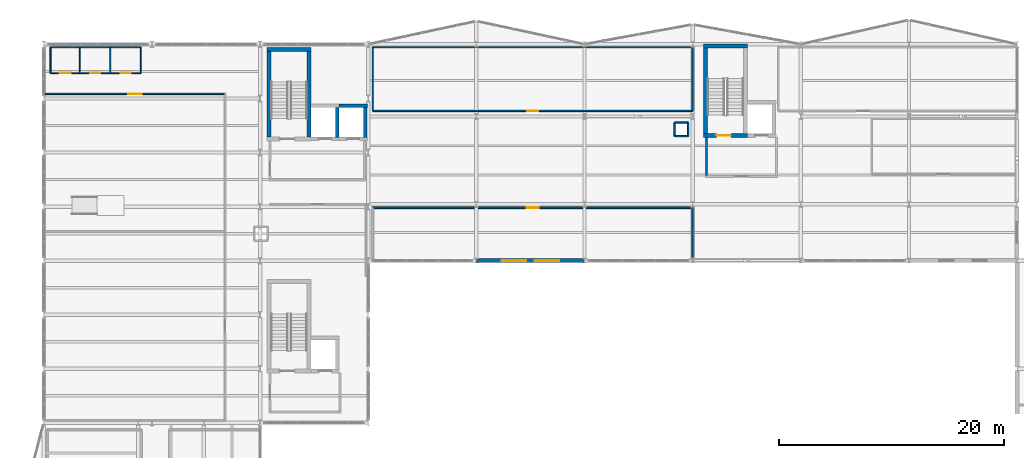
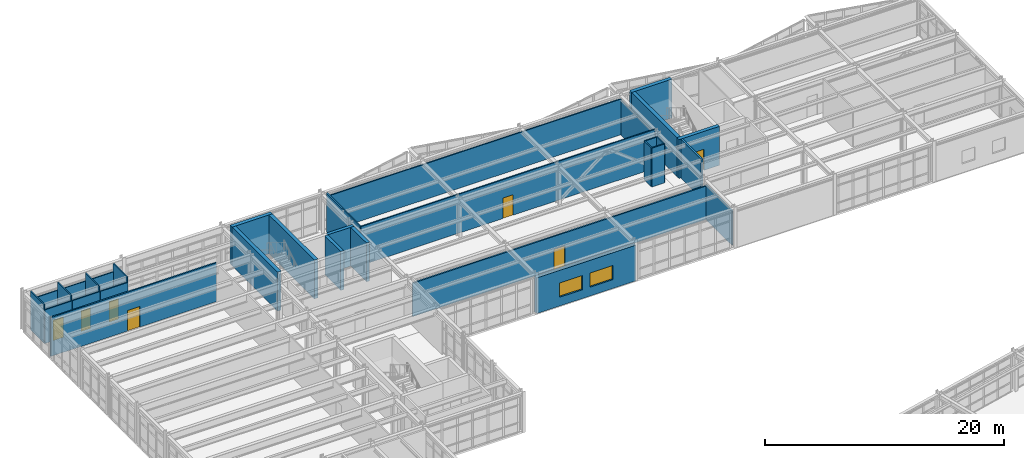
# One storey, part 74 of 88: 32 walls, 7 doors, 2 windows, 9 openings.
"""IFC4 building model written with IfcOpenShell, lengths in metres."""

from ifc_helpers import new_model, si_unit, direction, frame, frame_2d, origin, place, context, subcontext, project, spatial, rectangle, extrude, material, layer, layer_set, type_object, element, fill, save


model = new_model("IFC4")

# Units and contexts
model_context = context("Model", 3, precision=1e-05, world=origin(), true_north=direction((0.0, 1.0)))
body_context = subcontext(model_context, "Body", "Model", "MODEL_VIEW")
ifc_project = project(units=[si_unit("LENGTHUNIT", "METRE"), si_unit("AREAUNIT", "SQUARE_METRE"), si_unit("VOLUMEUNIT", "CUBIC_METRE"), si_unit("PLANEANGLEUNIT", "RADIAN"), si_unit("MASSUNIT", "GRAM", prefix="KILO")], contexts=[model_context])

# Site, building, storey
site_placement = place(None, origin())
site = spatial("IfcSite", under=ifc_project, at=site_placement, CompositionType="ELEMENT")
building_placement = place(site_placement, origin())
building = spatial("IfcBuilding", under=site, at=building_placement, Name="Nordkorset Police Headquarters", CompositionType="ELEMENT")
storey_placement = place(building_placement, frame((0.0, 0.0, 9.449951171875)))
storey = spatial("IfcBuildingStorey", under=building, at=storey_placement, Name="L02", CompositionType="ELEMENT", Elevation=9.449951171875)

# Wall, opening, door
ifc_material_1 = material(Name="Gypsum board", Category="gypsum")
ifc_layer_1 = layer(ifc_material_1, 0.139892578125, Name="Gypsum board")
ifc_layer_set_1 = layer_set([ifc_layer_1], Name="Gypsum board")
wall_type_1 = type_object("IfcWallType", Name="Wall_Acoust_140", PredefinedType="PARTITIONING", material=ifc_layer_set_1)
wall_1_placement = place(storey_placement, frame((16.10009765625, 112.39990234375, 0.0), z_axis=(0.0, 0.0, 1.0), x_axis=(-1.0, 0.0, 0.0)))
wall_1 = element("IfcWall", 1, at=wall_1_placement, inside=storey, type_object=wall_type_1, Name="Interior Partition Wall Detective Taskforce Briefing Room", PredefinedType="PARTITIONING", context=body_context, shape_type="SweptSolid", body=[
    extrude(rectangle(XDim=16.01513671875, YDim=0.139892578125, at=frame_2d((8.007568359375, 0.0))), origin(), (0.0, 0.0, 1.0), 3.969970703125),
])
opening_1_placement = place(wall_1_placement, frame((7.41748046875, 0.0, 0.0)))
opening_1 = element("IfcOpeningElement", 2, at=opening_1_placement, cuts=wall_1, Name="Opening DR-22", PredefinedType="OPENING", context=body_context, shape_type="SweptSolid", body=[
    extrude(rectangle(XDim=1.179931640625, YDim=2.10009765625, at=frame_2d((0.58984375, 1.050048828125))), frame((0.0, 0.080078125, 0.0), z_axis=(0.0, -1.0, 0.0), x_axis=(1.0, 0.0, 0.0)), (0.0, 0.0, 1.0), 0.159912109375),
])
ifc_material_2 = material(Name="Glulam GL30c", Category="wood")
door_type_1 = type_object("IfcDoorType", Name="Door_Meeting_1180x2100", OperationType="NOTDEFINED", PredefinedType="DOOR", material=ifc_material_2)
door_1_placement = place(opening_1_placement, origin())
door_1 = element("IfcDoor", 3, at=door_1_placement, inside=storey, type_object=door_type_1, Name="Interior Door Detective Taskforce Briefing Room", OperationType="SINGLE_SWING_LEFT", OverallHeight=2.10009765625, OverallWidth=1.179931640625, PredefinedType="DOOR", context=body_context, shape_type="SweptSolid", body=[
    extrude(rectangle(XDim=1.179931640625, YDim=2.10009765625, at=frame_2d((0.58984375, 1.050048828125))), frame((0.0, 0.02490234375, 0.0), z_axis=(0.0, -1.0, 0.0), x_axis=(1.0, 0.0, 0.0)), (0.0, 0.0, 1.0), 0.050048828125),
])
fill(opening_1, door_1)

# Wall
wall_2_placement = place(storey_placement, frame((57.60009765625, 97.89990234375, 0.0), z_axis=(0.0, 0.0, 1.0), x_axis=(0.0, 1.0, 0.0)))
element("IfcWall", 4, at=wall_2_placement, inside=storey, type_object=wall_type_1, Name="Interior Partition Wall Vulnerable Witness Interview Suite", PredefinedType="PARTITIONING", context=body_context, shape_type="SweptSolid", body=[
    extrude(rectangle(XDim=4.400146484375, YDim=0.139892578125, at=frame_2d((2.2001953125, 0.0))), origin(), (0.0, 0.0, 1.0), 3.510009765625),
])

# Wall, opening, door
wall_3_placement = place(storey_placement, frame((57.60009765625, 102.300048828125, 0.0), z_axis=(0.0, 0.0, 1.0), x_axis=(-1.0, 0.0, 0.0)))
wall_3 = element("IfcWall", 5, at=wall_3_placement, inside=storey, type_object=wall_type_1, Name="Interior Partition Wall Vulnerable Witness Interview Suite", PredefinedType="PARTITIONING", context=body_context, shape_type="SweptSolid", body=[
    extrude(rectangle(XDim=28.400146484375, YDim=0.139892578125, at=frame_2d((14.2001953125, 0.0))), origin(), (0.0, 0.0, 1.0), 3.41015625),
])
opening_2_placement = place(wall_3_placement, frame((13.679931640625, 0.0, 0.0)))
opening_2 = element("IfcOpeningElement", 6, at=opening_2_placement, cuts=wall_3, Name="Opening DR-09", PredefinedType="OPENING", context=body_context, shape_type="SweptSolid", body=[
    extrude(rectangle(XDim=1.0400390625, YDim=2.080078125, at=frame_2d((0.52001953125, 1.0400390625))), frame((0.0, 0.080078125, 0.0), z_axis=(0.0, -1.0, 0.0), x_axis=(1.0, 0.0, 0.0)), (0.0, 0.0, 1.0), 0.159912109375),
])
ifc_material_3 = material(Name="Glulam GL30c", Category="wood")
door_type_2 = type_object("IfcDoorType", Name="Door_Interview_1040x2080", OperationType="NOTDEFINED", PredefinedType="DOOR", material=ifc_material_3)
door_2_placement = place(opening_2_placement, frame((1.0400390625, 0.0, 0.0), z_axis=(0.0, 0.0, 1.0), x_axis=(-1.0, 0.0, 0.0)))
door_2 = element("IfcDoor", 7, at=door_2_placement, inside=storey, type_object=door_type_2, Name="Interior Door Vulnerable Witness Interview Suite", OperationType="SINGLE_SWING_RIGHT", OverallHeight=2.080078125, OverallWidth=1.0400390625, PredefinedType="DOOR", context=body_context, shape_type="SweptSolid", body=[
    extrude(rectangle(XDim=1.0400390625, YDim=2.080078125, at=frame_2d((0.52001953125, 1.0400390625))), frame((0.0, 0.02490234375, 0.0), z_axis=(0.0, -1.0, 0.0), x_axis=(1.0, 0.0, 0.0)), (0.0, 0.0, 1.0), 0.050048828125),
])
fill(opening_2, door_2)

# Walls
ifc_material_4 = material(Name="Gypsum board", Category="gypsum")
ifc_layer_2 = layer(ifc_material_4, 0.179931640625, Name="Gypsum board")
ifc_layer_set_2 = layer_set([ifc_layer_2], Name="Gypsum board")
wall_type_2 = type_object("IfcWallType", Name="Wall_Comp_180", PredefinedType="PARTITIONING", material=ifc_layer_set_2)
wall_4_placement = place(storey_placement, frame((58.840087890625, 105.14990234375, 0.0), z_axis=(0.0, 0.0, 1.0), x_axis=(0.0, 1.0, 0.0)))
element("IfcWall", 8, at=wall_4_placement, inside=storey, type_object=wall_type_2, Name="Firefighting Lobby EI 60 Wall K2 L02 W", PredefinedType="PARTITIONING", context=body_context, shape_type="SweptSolid", body=[
    extrude(rectangle(XDim=3.375, YDim=0.179931640625, at=frame_2d((1.6875, 0.0))), origin(), (0.0, 0.0, 1.0), 3.969970703125),
])
ifc_material_5 = material(Name="Concrete C35/45", Category="concrete")
ifc_layer_3 = layer(ifc_material_5, 0.35009765625, Name="Concrete C35/45")
ifc_layer_set_3 = layer_set([ifc_layer_3], Name="Concrete C35/45")
wall_type_3 = type_object("IfcWallType", Name="Wall_CoreShear_350", PredefinedType="SHEAR", material=ifc_layer_set_3)
wall_5_placement = place(storey_placement, frame((19.824951171875, 116.35009765625, 0.0), z_axis=(0.0, 0.0, 1.0), x_axis=(1.0, 0.0, 0.0)))
element("IfcWall", 9, at=wall_5_placement, inside=storey, type_object=wall_type_3, Name="Core K1 Stair Shaft North Shear Wall L02", PredefinedType="SHEAR", context=body_context, shape_type="SweptSolid", body=[
    extrude(rectangle(XDim=3.900146484375, YDim=0.35009765625, at=frame_2d((1.9501953125, 0.0))), origin(), (0.0, 0.0, 1.0), 3.969970703125),
])
for number, where, z_axis, x_axis, name in (
    (10, (20.0, 108.574951171875, 0.0), (0.0, 0.0, 1.0), (0.0, 1.0, 0.0), "Core K1 Stair Shaft West Shear Wall L02"),
    (11, (23.550048828125, 108.574951171875, 0.0), (0.0, 0.0, 1.0), (0.0, 1.0, 0.0), "Core K1 Stair Shaft East Shear Wall L02"),
):
    element("IfcWall", number, at=place(storey_placement, frame(where, z_axis=z_axis, x_axis=x_axis)), inside=storey, type_object=wall_type_3, Name=name, PredefinedType="SHEAR", context=body_context, shape_type="SweptSolid", body=[
        extrude(rectangle(XDim=7.60009765625, YDim=0.35009765625, at=frame_2d((3.800048828125, 0.0))), origin(), (0.0, 0.0, 1.0), 3.969970703125),
    ])

# Wall, opening, door
wall_6_placement = place(storey_placement, frame((58.574951171875, 108.699951171875, 0.0), z_axis=(0.0, 0.0, 1.0), x_axis=(1.0, 0.0, 0.0)))
wall_6 = element("IfcWall", 12, at=wall_6_placement, inside=storey, type_object=wall_type_3, Name="Core K2 Stair Shaft South Shear Wall L02", PredefinedType="SHEAR", context=body_context, shape_type="SweptSolid", body=[
    extrude(rectangle(XDim=3.900146484375, YDim=0.35009765625, at=frame_2d((1.9501953125, 0.0))), origin(), (0.0, 0.0, 1.0), 3.969970703125),
])
opening_3_placement = place(wall_6_placement, frame((1.125, 0.0, 0.0)))
opening_3 = element("IfcOpeningElement", 13, at=opening_3_placement, cuts=wall_6, Name="Opening DR-20", PredefinedType="OPENING", context=body_context, shape_type="SweptSolid", body=[
    extrude(rectangle(XDim=1.300048828125, YDim=2.14990234375, at=frame_2d((0.64990234375, 1.074951171875))), frame((0.0, 0.18505859375, 0.0), z_axis=(0.0, -1.0, 0.0), x_axis=(1.0, 0.0, 0.0)), (0.0, 0.0, 1.0), 0.3701171875),
])
ifc_material_6 = material(Name="Steel S355J2", Category="steel")
door_type_3 = type_object("IfcDoorType", Name="Door_Stair_1300x2150", OperationType="NOTDEFINED", PredefinedType="DOOR", material=ifc_material_6)
door_3_placement = place(opening_3_placement, frame((1.300048828125, 0.0, 0.0), z_axis=(0.0, 0.0, 1.0), x_axis=(-1.0, 0.0, 0.0)))
door_3 = element("IfcDoor", 14, at=door_3_placement, inside=storey, type_object=door_type_3, Name="Protected Stair Fire Door ST-02 L02", OperationType="SINGLE_SWING_RIGHT", OverallHeight=2.14990234375, OverallWidth=1.300048828125, PredefinedType="DOOR", context=body_context, shape_type="SweptSolid", body=[
    extrude(rectangle(XDim=1.300048828125, YDim=2.14990234375, at=frame_2d((0.64990234375, 1.074951171875))), frame((0.0, 0.02490234375, 0.0), z_axis=(0.0, -1.0, 0.0), x_axis=(1.0, 0.0, 0.0)), (0.0, 0.0, 1.0), 0.050048828125),
])
fill(opening_3, door_3)

# Walls
wall_7_placement = place(storey_placement, frame((58.574951171875, 116.64990234375, 0.0), z_axis=(0.0, 0.0, 1.0), x_axis=(1.0, 0.0, 0.0)))
element("IfcWall", 15, at=wall_7_placement, inside=storey, type_object=wall_type_3, Name="Core K2 Stair Shaft North Shear Wall L02", PredefinedType="SHEAR", context=body_context, shape_type="SweptSolid", body=[
    extrude(rectangle(XDim=3.900146484375, YDim=0.35009765625, at=frame_2d((1.9501953125, 0.0))), origin(), (0.0, 0.0, 1.0), 3.969970703125),
])
wall_8_placement = place(storey_placement, frame((58.75, 108.875, 0.0), z_axis=(0.0, 0.0, 1.0), x_axis=(0.0, 1.0, 0.0)))
element("IfcWall", 16, at=wall_8_placement, inside=storey, type_object=wall_type_3, Name="Core K2 Stair Shaft West Shear Wall L02", PredefinedType="SHEAR", context=body_context, shape_type="SweptSolid", body=[
    extrude(rectangle(XDim=7.60009765625, YDim=0.35009765625, at=frame_2d((3.800048828125, 0.0))), origin(), (0.0, 0.0, 1.0), 3.969970703125),
])

# Wall, openings, windows
ifc_material_7 = material(Name="Precast concrete C40/50", Category="concrete")
ifc_layer_4 = layer(ifc_material_7, 0.360107421875, Name="Precast concrete C40/50")
ifc_layer_set_4 = layer_set([ifc_layer_4], Name="Precast concrete C40/50")
wall_type_4 = type_object("IfcWallType", Name="Wall_ExtPrecast_360", PredefinedType="SOLIDWALL", material=ifc_layer_set_4)
wall_9_placement = place(storey_placement, frame((38.40869140625, 97.60009765625, 0.0), z_axis=(0.0, 0.0, 1.0), x_axis=(1.0, 0.0, 0.0)))
wall_9 = element("IfcWall", 17, at=wall_9_placement, inside=storey, type_object=wall_type_4, Name="Exterior Insulated Precast Wall L02 V2S-1", PredefinedType="SOLIDWALL", context=body_context, shape_type="SweptSolid", body=[
    extrude(rectangle(XDim=9.58251953125, YDim=0.360107421875, at=frame_2d((4.791259765625, 0.0))), origin(), (0.0, 0.0, 1.0), 3.64013671875),
])
opening_4_placement = place(wall_9_placement, frame((2.224609375, 0.0, 0.89990234375)))
opening_4 = element("IfcOpeningElement", 18, at=opening_4_placement, cuts=wall_9, Name="Opening WN-12", PredefinedType="OPENING", context=body_context, shape_type="SweptSolid", body=[
    extrude(rectangle(XDim=2.199951171875, YDim=1.449951171875, at=frame_2d((1.10009765625, 0.72509765625))), frame((0.0, 0.18994140625, 0.0), z_axis=(0.0, -1.0, 0.0), x_axis=(1.0, 0.0, 0.0)), (0.0, 0.0, 1.0), 0.380126953125),
])
opening_5_placement = place(wall_9_placement, frame((5.157958984375, 0.0, 0.89990234375)))
opening_5 = element("IfcOpeningElement", 19, at=opening_5_placement, cuts=wall_9, Name="Opening WN-12", PredefinedType="OPENING", context=body_context, shape_type="SweptSolid", body=[
    extrude(rectangle(XDim=2.199951171875, YDim=1.449951171875, at=frame_2d((1.10009765625, 0.72509765625))), frame((0.0, 0.18994140625, 0.0), z_axis=(0.0, -1.0, 0.0), x_axis=(1.0, 0.0, 0.0)), (0.0, 0.0, 1.0), 0.380126953125),
])
ifc_material_8 = material(Name="Low-iron triple glazing", Category="glass")
window_type = type_object("IfcWindowType", Name="Win_2200x1450", PartitioningType="SINGLE_PANEL", PredefinedType="WINDOW", material=ifc_material_8)
window_1_placement = place(opening_4_placement, origin())
window_1 = element("IfcWindow", 20, at=window_1_placement, inside=storey, type_object=window_type, Name="Triple-Glazed Exterior Window L02 V2S-1-1", OverallHeight=1.449951171875, OverallWidth=2.199951171875, PartitioningType="SINGLE_PANEL", PredefinedType="WINDOW", context=body_context, shape_type="SweptSolid", body=[
    extrude(rectangle(XDim=2.199951171875, YDim=1.449951171875, at=frame_2d((1.10009765625, 0.72509765625))), frame((0.0, 0.030029296875, 0.0), z_axis=(0.0, -1.0, 0.0), x_axis=(1.0, 0.0, 0.0)), (0.0, 0.0, 1.0), 0.06005859375),
])
fill(opening_4, window_1)
window_2_placement = place(opening_5_placement, origin())
window_2 = element("IfcWindow", 21, at=window_2_placement, inside=storey, type_object=window_type, Name="Triple-Glazed Exterior Window L02 V2S-1-2", OverallHeight=1.449951171875, OverallWidth=2.199951171875, PartitioningType="SINGLE_PANEL", PredefinedType="WINDOW", context=body_context, shape_type="SweptSolid", body=[
    extrude(rectangle(XDim=2.199951171875, YDim=1.449951171875, at=frame_2d((1.10009765625, 0.72509765625))), frame((0.0, 0.030029296875, 0.0), z_axis=(0.0, -1.0, 0.0), x_axis=(1.0, 0.0, 0.0)), (0.0, 0.0, 1.0), 0.06005859375),
])
fill(opening_5, window_2)

# Wall, opening, door
ifc_material_9 = material(Name="Gypsum board", Category="gypsum")
ifc_layer_5 = layer(ifc_material_9, 0.10009765625, Name="Gypsum board")
ifc_layer_set_5 = layer_set([ifc_layer_5], Name="Gypsum board")
wall_type_5 = type_object("IfcWallType", Name="Wall_Part_100", PredefinedType="PARTITIONING", material=ifc_layer_set_5)
wall_10_placement = place(storey_placement, frame((0.60009765625, 114.25, 0.0), z_axis=(0.0, 0.0, 1.0), x_axis=(1.0, 0.0, 0.0)))
wall_10 = element("IfcWall", 22, at=wall_10_placement, inside=storey, type_object=wall_type_5, Name="Interior Partition Wall Accessible WC L02W", PredefinedType="PARTITIONING", context=body_context, shape_type="SweptSolid", body=[
    extrude(rectangle(XDim=2.599853515625, YDim=0.10009765625, at=frame_2d((1.2998046875, 0.0))), origin(), (0.0, 0.0, 1.0), 3.449951171875),
])
opening_6_placement = place(wall_10_placement, frame((0.800048828125, 0.0, 0.0)))
opening_6 = element("IfcOpeningElement", 23, at=opening_6_placement, cuts=wall_10, Name="Opening DR-23", PredefinedType="OPENING", context=body_context, shape_type="SweptSolid", body=[
    extrude(rectangle(XDim=1.0, YDim=2.080078125, at=frame_2d((0.5, 1.0400390625))), frame((0.0, 0.06005859375, 0.0), z_axis=(0.0, -1.0, 0.0), x_axis=(1.0, 0.0, 0.0)), (0.0, 0.0, 1.0), 0.1201171875),
])
ifc_material_10 = material(Name="Glulam GL30c", Category="wood")
door_type_4 = type_object("IfcDoorType", Name="Door_WCAccess_1000x2080", OperationType="NOTDEFINED", PredefinedType="DOOR", material=ifc_material_10)
door_4_placement = place(opening_6_placement, frame((1.0, 0.0, 0.0), z_axis=(0.0, 0.0, 1.0), x_axis=(-1.0, 0.0, 0.0)))
door_4 = element("IfcDoor", 24, at=door_4_placement, inside=storey, type_object=door_type_4, Name="Interior Door Accessible WC L02W", OperationType="SINGLE_SWING_RIGHT", OverallHeight=2.080078125, OverallWidth=1.0, PredefinedType="DOOR", context=body_context, shape_type="SweptSolid", body=[
    extrude(rectangle(XDim=1.0, YDim=2.080078125, at=frame_2d((0.5, 1.0400390625))), frame((0.0, 0.02490234375, 0.0), z_axis=(0.0, -1.0, 0.0), x_axis=(1.0, 0.0, 0.0)), (0.0, 0.0, 1.0), 0.050048828125),
])
fill(opening_6, door_4)

# Walls
wall_11_placement = place(storey_placement, frame((3.199951171875, 114.25, 0.0), z_axis=(0.0, 0.0, 1.0), x_axis=(0.0, 1.0, 0.0)))
element("IfcWall", 25, at=wall_11_placement, inside=storey, type_object=wall_type_5, Name="Interior Partition Wall Accessible WC L02W", PredefinedType="PARTITIONING", context=body_context, shape_type="SweptSolid", body=[
    extrude(rectangle(XDim=2.300048828125, YDim=0.10009765625, at=frame_2d((1.14990234375, 0.0))), origin(), (0.0, 0.0, 1.0), 3.969970703125),
])
wall_12_placement = place(storey_placement, frame((3.199951171875, 116.550048828125, 0.0), z_axis=(0.0, 0.0, 1.0), x_axis=(-1.0, 0.0, 0.0)))
element("IfcWall", 26, at=wall_12_placement, inside=storey, type_object=wall_type_5, Name="Interior Partition Wall Accessible WC L02W", PredefinedType="PARTITIONING", context=body_context, shape_type="SweptSolid", body=[
    extrude(rectangle(XDim=2.599853515625, YDim=0.10009765625, at=frame_2d((1.2998046875, 0.0))), origin(), (0.0, 0.0, 1.0), 3.150146484375),
])
wall_13_placement = place(storey_placement, frame((0.60009765625, 116.550048828125, 0.0), z_axis=(0.0, 0.0, 1.0), x_axis=(0.0, -1.0, 0.0)))
element("IfcWall", 27, at=wall_13_placement, inside=storey, type_object=wall_type_5, Name="Interior Partition Wall Accessible WC L02W", PredefinedType="PARTITIONING", context=body_context, shape_type="SweptSolid", body=[
    extrude(rectangle(XDim=2.300048828125, YDim=0.10009765625, at=frame_2d((1.14990234375, 0.0))), origin(), (0.0, 0.0, 1.0), 3.969970703125),
])

# Wall, opening, door
wall_14_placement = place(storey_placement, frame((3.2451171875, 114.25, 0.0), z_axis=(0.0, 0.0, 1.0), x_axis=(1.0, 0.0, 0.0)))
wall_14 = element("IfcWall", 28, at=wall_14_placement, inside=storey, type_object=wall_type_5, Name="Interior Partition Wall Staff Female WC L02W", PredefinedType="PARTITIONING", context=body_context, shape_type="SweptSolid", body=[
    extrude(rectangle(XDim=2.65478515625, YDim=0.10009765625, at=frame_2d((1.327392578125, 0.0))), origin(), (0.0, 0.0, 1.0), 3.449951171875),
])
opening_7_placement = place(wall_14_placement, frame((0.867431640625, 0.0, 0.0)))
opening_7 = element("IfcOpeningElement", 29, at=opening_7_placement, cuts=wall_14, Name="Opening DR-21", PredefinedType="OPENING", context=body_context, shape_type="SweptSolid", body=[
    extrude(rectangle(XDim=0.919921875, YDim=2.080078125, at=frame_2d((0.4599609375, 1.0400390625))), frame((0.0, 0.06005859375, 0.0), z_axis=(0.0, -1.0, 0.0), x_axis=(1.0, 0.0, 0.0)), (0.0, 0.0, 1.0), 0.1201171875),
])
ifc_material_11 = material(Name="Glulam GL30c", Category="wood")
door_type_5 = type_object("IfcDoorType", Name="Door_WCStaff_920x2080", OperationType="NOTDEFINED", PredefinedType="DOOR", material=ifc_material_11)
door_5_placement = place(opening_7_placement, origin())
door_5 = element("IfcDoor", 30, at=door_5_placement, inside=storey, type_object=door_type_5, Name="Interior Door Staff Female WC L02W", OperationType="SINGLE_SWING_LEFT", OverallHeight=2.080078125, OverallWidth=0.919921875, PredefinedType="DOOR", context=body_context, shape_type="SweptSolid", body=[
    extrude(rectangle(XDim=0.919921875, YDim=2.080078125, at=frame_2d((0.4599609375, 1.0400390625))), frame((0.0, 0.02490234375, 0.0), z_axis=(0.0, -1.0, 0.0), x_axis=(1.0, 0.0, 0.0)), (0.0, 0.0, 1.0), 0.050048828125),
])
fill(opening_7, door_5)

# Walls
wall_15_placement = place(storey_placement, frame((5.89990234375, 114.25, 0.0), z_axis=(0.0, 0.0, 1.0), x_axis=(0.0, 1.0, 0.0)))
element("IfcWall", 31, at=wall_15_placement, inside=storey, type_object=wall_type_5, Name="Interior Partition Wall Staff Female WC L02W", PredefinedType="PARTITIONING", context=body_context, shape_type="SweptSolid", body=[
    extrude(rectangle(XDim=2.300048828125, YDim=0.10009765625, at=frame_2d((1.14990234375, 0.0))), origin(), (0.0, 0.0, 1.0), 3.969970703125),
])
wall_16_placement = place(storey_placement, frame((5.89990234375, 116.550048828125, 0.0), z_axis=(0.0, 0.0, 1.0), x_axis=(-1.0, 0.0, 0.0)))
element("IfcWall", 32, at=wall_16_placement, inside=storey, type_object=wall_type_5, Name="Interior Partition Wall Staff Female WC L02W", PredefinedType="PARTITIONING", context=body_context, shape_type="SweptSolid", body=[
    extrude(rectangle(XDim=2.65478515625, YDim=0.10009765625, at=frame_2d((1.327392578125, 0.0))), origin(), (0.0, 0.0, 1.0), 3.150146484375),
])

# Wall, opening, door
wall_17_placement = place(storey_placement, frame((5.945068359375, 114.25, 0.0), z_axis=(0.0, 0.0, 1.0), x_axis=(1.0, 0.0, 0.0)))
wall_17 = element("IfcWall", 33, at=wall_17_placement, inside=storey, type_object=wall_type_5, Name="Interior Partition Wall Staff Male WC L02W", PredefinedType="PARTITIONING", context=body_context, shape_type="SweptSolid", body=[
    extrude(rectangle(XDim=2.655029296875, YDim=0.10009765625, at=frame_2d((1.32763671875, 0.0))), origin(), (0.0, 0.0, 1.0), 3.449951171875),
])
opening_8_placement = place(wall_17_placement, frame((0.867431640625, 0.0, 0.0)))
opening_8 = element("IfcOpeningElement", 34, at=opening_8_placement, cuts=wall_17, Name="Opening DR-21", PredefinedType="OPENING", context=body_context, shape_type="SweptSolid", body=[
    extrude(rectangle(XDim=0.919921875, YDim=2.080078125, at=frame_2d((0.4599609375, 1.0400390625))), frame((0.0, 0.06005859375, 0.0), z_axis=(0.0, -1.0, 0.0), x_axis=(1.0, 0.0, 0.0)), (0.0, 0.0, 1.0), 0.1201171875),
])
door_6_placement = place(opening_8_placement, frame((0.919921875, 0.0, 0.0), z_axis=(0.0, 0.0, 1.0), x_axis=(-1.0, 0.0, 0.0)))
door_6 = element("IfcDoor", 35, at=door_6_placement, inside=storey, type_object=door_type_5, Name="Interior Door Staff Male WC L02W", OperationType="SINGLE_SWING_RIGHT", OverallHeight=2.080078125, OverallWidth=0.919921875, PredefinedType="DOOR", context=body_context, shape_type="SweptSolid", body=[
    extrude(rectangle(XDim=0.919921875, YDim=2.080078125, at=frame_2d((0.4599609375, 1.0400390625))), frame((0.0, 0.02490234375, 0.0), z_axis=(0.0, -1.0, 0.0), x_axis=(1.0, 0.0, 0.0)), (0.0, 0.0, 1.0), 0.050048828125),
])
fill(opening_8, door_6)

# Walls
wall_18_placement = place(storey_placement, frame((8.60009765625, 114.25, 0.0), z_axis=(0.0, 0.0, 1.0), x_axis=(0.0, 1.0, 0.0)))
element("IfcWall", 36, at=wall_18_placement, inside=storey, type_object=wall_type_5, Name="Interior Partition Wall Staff Male WC L02W", PredefinedType="PARTITIONING", context=body_context, shape_type="SweptSolid", body=[
    extrude(rectangle(XDim=2.300048828125, YDim=0.10009765625, at=frame_2d((1.14990234375, 0.0))), origin(), (0.0, 0.0, 1.0), 3.969970703125),
])
wall_19_placement = place(storey_placement, frame((8.60009765625, 116.550048828125, 0.0), z_axis=(0.0, 0.0, 1.0), x_axis=(-1.0, 0.0, 0.0)))
element("IfcWall", 37, at=wall_19_placement, inside=storey, type_object=wall_type_5, Name="Interior Partition Wall Staff Male WC L02W", PredefinedType="PARTITIONING", context=body_context, shape_type="SweptSolid", body=[
    extrude(rectangle(XDim=2.655029296875, YDim=0.10009765625, at=frame_2d((1.32763671875, 0.0))), origin(), (0.0, 0.0, 1.0), 3.150146484375),
])

# Wall, opening, door
ifc_material_12 = material(Name="Gypsum board", Category="gypsum")
ifc_layer_6 = layer(ifc_material_12, 0.1201171875, Name="Gypsum board")
ifc_layer_set_6 = layer_set([ifc_layer_6], Name="Gypsum board")
wall_type_6 = type_object("IfcWallType", Name="Wall_Part_120", PredefinedType="PARTITIONING", material=ifc_layer_set_6)
wall_20_placement = place(storey_placement, frame((29.199951171875, 110.89990234375, 0.0), z_axis=(0.0, 0.0, 1.0), x_axis=(1.0, 0.0, 0.0)))
wall_20 = element("IfcWall", 38, at=wall_20_placement, inside=storey, type_object=wall_type_6, Name="Interior Partition Wall Serious and Organised Crime Directorate", PredefinedType="PARTITIONING", context=body_context, shape_type="SweptSolid", body=[
    extrude(rectangle(XDim=28.400146484375, YDim=0.1201171875, at=frame_2d((14.2001953125, 0.0))), origin(), (0.0, 0.0, 1.0), 3.969970703125),
])
opening_9_placement = place(wall_20_placement, frame((13.7099609375, 0.0, 0.0)))
opening_9 = element("IfcOpeningElement", 39, at=opening_9_placement, cuts=wall_20, Name="Opening DR-18", PredefinedType="OPENING", context=body_context, shape_type="SweptSolid", body=[
    extrude(rectangle(XDim=0.97998046875, YDim=2.10009765625, at=frame_2d((0.489990234375, 1.050048828125))), frame((0.0, 0.070068359375, 0.0), z_axis=(0.0, -1.0, 0.0), x_axis=(1.0, 0.0, 0.0)), (0.0, 0.0, 1.0), 0.14013671875),
])
ifc_material_13 = material(Name="Glulam GL30c", Category="wood")
door_type_6 = type_object("IfcDoorType", Name="Door_Office_980x2100", OperationType="NOTDEFINED", PredefinedType="DOOR", material=ifc_material_13)
door_7_placement = place(opening_9_placement, frame((0.97998046875, 0.0, 0.0), z_axis=(0.0, 0.0, 1.0), x_axis=(-1.0, 0.0, 0.0)))
door_7 = element("IfcDoor", 40, at=door_7_placement, inside=storey, type_object=door_type_6, Name="Interior Door Serious and Organised Crime Directorate", OperationType="SINGLE_SWING_RIGHT", OverallHeight=2.10009765625, OverallWidth=0.97998046875, PredefinedType="DOOR", context=body_context, shape_type="SweptSolid", body=[
    extrude(rectangle(XDim=0.97998046875, YDim=2.10009765625, at=frame_2d((0.489990234375, 1.050048828125))), frame((0.0, 0.02490234375, 0.0), z_axis=(0.0, -1.0, 0.0), x_axis=(1.0, 0.0, 0.0)), (0.0, 0.0, 1.0), 0.050048828125),
])
fill(opening_9, door_7)

# Walls
wall_21_placement = place(storey_placement, frame((57.60009765625, 110.89990234375, 0.0), z_axis=(0.0, 0.0, 1.0), x_axis=(0.0, 1.0, 0.0)))
element("IfcWall", 41, at=wall_21_placement, inside=storey, type_object=wall_type_6, Name="Interior Partition Wall Serious and Organised Crime Directorate", PredefinedType="PARTITIONING", context=body_context, shape_type="SweptSolid", body=[
    extrude(rectangle(XDim=5.650146484375, YDim=0.1201171875, at=frame_2d((2.8251953125, 0.0))), origin(), (0.0, 0.0, 1.0), 3.510009765625),
])
wall_22_placement = place(storey_placement, frame((57.60009765625, 116.550048828125, 0.0), z_axis=(0.0, 0.0, 1.0), x_axis=(-1.0, 0.0, 0.0)))
element("IfcWall", 42, at=wall_22_placement, inside=storey, type_object=wall_type_6, Name="Interior Partition Wall Serious and Organised Crime Directorate", PredefinedType="PARTITIONING", context=body_context, shape_type="SweptSolid", body=[
    extrude(rectangle(XDim=28.400146484375, YDim=0.1201171875, at=frame_2d((14.2001953125, 0.0))), origin(), (0.0, 0.0, 1.0), 3.64013671875),
])
wall_23_placement = place(storey_placement, frame((29.199951171875, 116.550048828125, 0.0), z_axis=(0.0, 0.0, 1.0), x_axis=(0.0, -1.0, 0.0)))
element("IfcWall", 43, at=wall_23_placement, inside=storey, type_object=wall_type_6, Name="Interior Partition Wall Serious and Organised Crime Directorate", PredefinedType="PARTITIONING", context=body_context, shape_type="SweptSolid", body=[
    extrude(rectangle(XDim=5.650146484375, YDim=0.1201171875, at=frame_2d((2.8251953125, 0.0))), origin(), (0.0, 0.0, 1.0), 3.969970703125),
])
ifc_material_14 = material(Name="Gypsum board", Category="gypsum")
ifc_layer_7 = layer(ifc_material_14, 0.125, Name="Gypsum board")
ifc_layer_set_7 = layer_set([ifc_layer_7], Name="Gypsum board")
wall_type_7 = type_object("IfcWallType", Name="Wall_Riser_125", PredefinedType="PARTITIONING", material=ifc_layer_set_7)
wall_24_placement = place(storey_placement, frame((56.0, 108.64990234375, 0.0), z_axis=(0.0, 0.0, 1.0), x_axis=(1.0, 0.0, 0.0)))
element("IfcWall", 44, at=wall_24_placement, inside=storey, type_object=wall_type_7, Name="Service Riser Enclosure RSR-V2 L02", PredefinedType="PARTITIONING", context=body_context, shape_type="SweptSolid", body=[
    extrude(rectangle(XDim=1.199951171875, YDim=0.125, at=frame_2d((0.60009765625, 0.0))), origin(), (0.0, 0.0, 1.0), 3.969970703125),
])
wall_25_placement = place(storey_placement, frame((57.199951171875, 108.64990234375, 0.0), z_axis=(0.0, 0.0, 1.0), x_axis=(0.0, 1.0, 0.0)))
element("IfcWall", 45, at=wall_25_placement, inside=storey, type_object=wall_type_7, Name="Service Riser Enclosure RSR-V2 L02", PredefinedType="PARTITIONING", context=body_context, shape_type="SweptSolid", body=[
    extrude(rectangle(XDim=1.2001953125, YDim=0.125, at=frame_2d((0.60009765625, 0.0))), origin(), (0.0, 0.0, 1.0), 3.969970703125),
])
wall_26_placement = place(storey_placement, frame((57.199951171875, 109.85009765625, 0.0), z_axis=(0.0, 0.0, 1.0), x_axis=(-1.0, 0.0, 0.0)))
element("IfcWall", 46, at=wall_26_placement, inside=storey, type_object=wall_type_7, Name="Service Riser Enclosure RSR-V2 L02", PredefinedType="PARTITIONING", context=body_context, shape_type="SweptSolid", body=[
    extrude(rectangle(XDim=1.199951171875, YDim=0.125, at=frame_2d((0.60009765625, 0.0))), origin(), (0.0, 0.0, 1.0), 3.969970703125),
])
wall_27_placement = place(storey_placement, frame((56.0, 109.85009765625, 0.0), z_axis=(0.0, 0.0, 1.0), x_axis=(0.0, -1.0, 0.0)))
element("IfcWall", 47, at=wall_27_placement, inside=storey, type_object=wall_type_7, Name="Service Riser Enclosure RSR-V2 L02", PredefinedType="PARTITIONING", context=body_context, shape_type="SweptSolid", body=[
    extrude(rectangle(XDim=1.2001953125, YDim=0.125, at=frame_2d((0.60009765625, 0.0))), origin(), (0.0, 0.0, 1.0), 3.969970703125),
])
ifc_material_15 = material(Name="Concrete C35/45", Category="concrete")
ifc_layer_8 = layer(ifc_material_15, 0.300048828125, Name="Concrete C35/45")
ifc_layer_set_8 = layer_set([ifc_layer_8], Name="Concrete C35/45")
wall_type_8 = type_object("IfcWallType", Name="Wall_ShaftShear_300", PredefinedType="SHEAR", material=ifc_layer_set_8)
wall_28_placement = place(storey_placement, frame((26.050048828125, 108.550048828125, 0.0), z_axis=(0.0, 0.0, 1.0), x_axis=(0.0, 1.0, 0.0)))
element("IfcWall", 48, at=wall_28_placement, inside=storey, type_object=wall_type_8, Name="Lift Shaft LF-01 East Shear Wall L02", PredefinedType="SHEAR", context=body_context, shape_type="SweptSolid", body=[
    extrude(rectangle(XDim=2.64990234375, YDim=0.300048828125, at=frame_2d((1.324951171875, 0.0))), origin(), (0.0, 0.0, 1.0), 3.969970703125),
])
wall_29_placement = place(storey_placement, frame((26.22509765625, 111.35009765625, 0.0), z_axis=(0.0, 0.0, 1.0), x_axis=(1.0, 0.0, 0.0)))
element("IfcWall", 49, at=wall_29_placement, inside=storey, type_object=wall_type_8, Name="Lift Shaft LF-02 Rear Shear Wall L02", PredefinedType="SHEAR", context=body_context, shape_type="SweptSolid", body=[
    extrude(rectangle(XDim=2.5, YDim=0.300048828125, at=frame_2d((1.25, 0.0))), origin(), (0.0, 0.0, 1.0), 3.969970703125),
])
wall_30_placement = place(storey_placement, frame((28.550048828125, 108.550048828125, 0.0), z_axis=(0.0, 0.0, 1.0), x_axis=(0.0, 1.0, 0.0)))
element("IfcWall", 50, at=wall_30_placement, inside=storey, type_object=wall_type_8, Name="Lift Shaft LF-02 East Shear Wall L02", PredefinedType="SHEAR", context=body_context, shape_type="SweptSolid", body=[
    extrude(rectangle(XDim=2.64990234375, YDim=0.300048828125, at=frame_2d((1.324951171875, 0.0))), origin(), (0.0, 0.0, 1.0), 3.969970703125),
])

save(model, "model.ifc")
